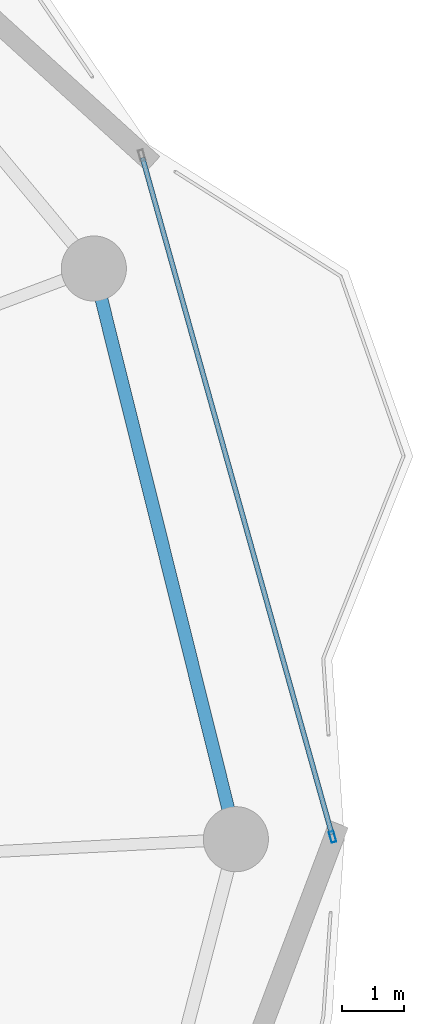
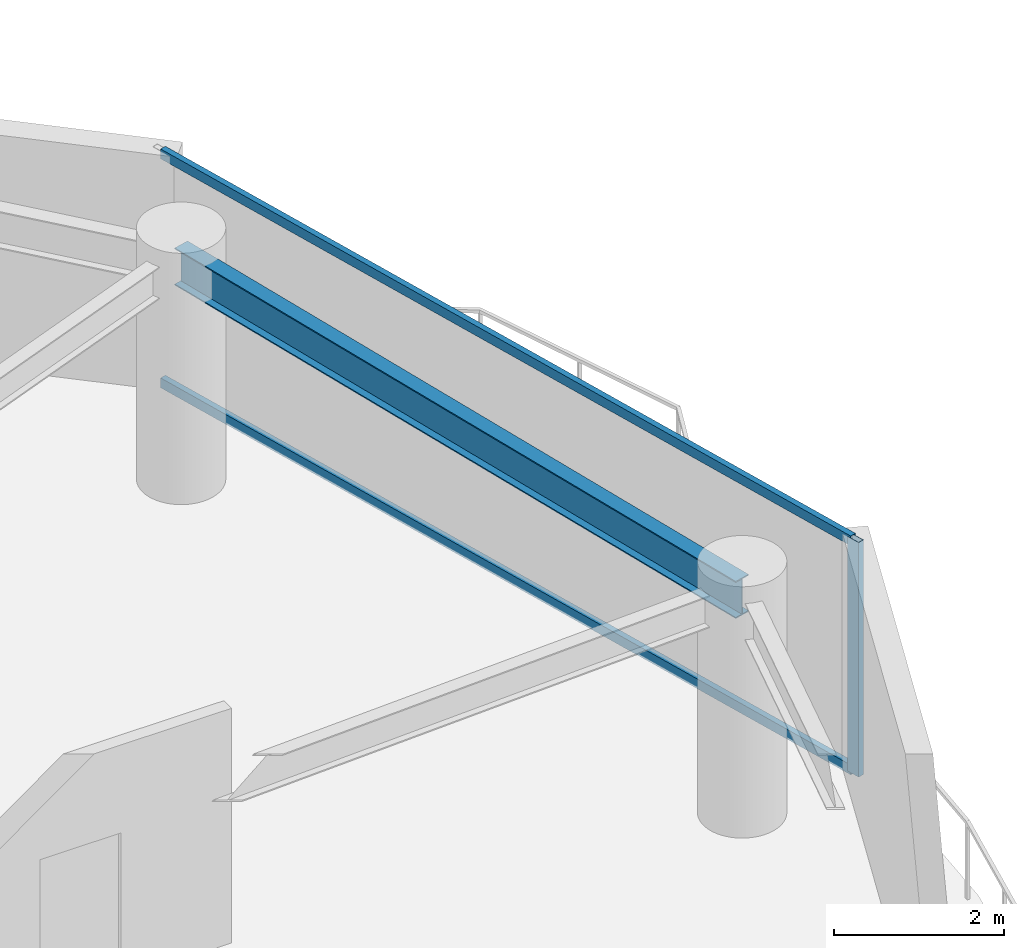
# One storey, part 15 of 29: 3 members, 1 beam, 1 element without a shape of its own.
"""IFC4 building model written with IfcOpenShell, lengths in metres."""

from ifc_helpers import new_model, si_unit, direction, frame, origin, origin_2d, place, context, subcontext, project, spatial, hollow_rectangle, i_section, extrude, material, layer, layer_set, material_profile, profile_set, type_object, element, aggregate, save


model = new_model("IFC4")

# Units and contexts
model_context = context("Model", 3, precision=1e-05, world=origin(), true_north=direction((0.0, 1.0)))
body_context = subcontext(model_context, "Body", "Model", "MODEL_VIEW")
ifc_project = project(units=[si_unit("LENGTHUNIT", "METRE"), si_unit("AREAUNIT", "SQUARE_METRE"), si_unit("VOLUMEUNIT", "CUBIC_METRE"), si_unit("PLANEANGLEUNIT", "RADIAN"), si_unit("MASSUNIT", "GRAM", prefix="KILO")], contexts=[model_context])

# Site, building, storey
site_placement = place(None, origin())
site = spatial("IfcSite", under=ifc_project, at=site_placement, CompositionType="ELEMENT")
building_placement = place(site_placement, origin())
building = spatial("IfcBuilding", under=site, at=building_placement, Name="Kazevale Care Tower and Concert Hall", CompositionType="ELEMENT")
storey_placement = place(building_placement, frame((0.0, 0.0, 195.60009765625)))
storey = spatial("IfcBuildingStorey", under=building, at=storey_placement, Name="L51", CompositionType="ELEMENT", Elevation=195.60009765625)

# Curtain wall, members
ifc_material_1 = material(Name="Aluminium 6063-T6 and Low-E Glass", Category="aluminium")
ifc_layer = layer(ifc_material_1, 0.179931640625)
ifc_layer_set = layer_set([ifc_layer], Name="Aluminium 6063-T6 and Low-E Glass")
curtain_wall_type = type_object("IfcCurtainWallType", Name="Waist & Upper Residential Curtain Wall CW-4", PredefinedType="NOTDEFINED", material=ifc_layer_set)
curtain_wall_placement = place(storey_placement, origin())
curtain_wall = element("IfcCurtainWall", 1, at=curtain_wall_placement, inside=storey, type_object=curtain_wall_type, Name="cw:L51:f18", PredefinedType="NOTDEFINED")
ifc_material_2 = material(Name="Aluminium 6063-T6", Category="aluminium")
ifc_material_profile_1 = material_profile(ifc_material_2, hollow_rectangle(XDim=0.080078125, YDim=0.179931640625, WallThickness=0.0048828125, at=origin_2d()), Name="ALU80x180x5")
ifc_profile_set_1 = profile_set([ifc_material_profile_1], Name="Aluminium 6063-T6")
member_type_1 = type_object("IfcMemberType", Name="CW-4 Mullion ALU80x180x5", PredefinedType="MULLION", material=ifc_profile_set_1)
member_1_placement = place(storey_placement, frame((76.609130859375, 38.03857421875, 0.0), z_axis=(0.0, 0.0, 1.0), x_axis=(0.962972156211, 0.269600864915, 0.0)))
member_1 = element("IfcMember", 2, at=member_1_placement, type_object=member_type_1, Name="CW-4 mullion 2", PredefinedType="MULLION", context=body_context, shape_type="SweptSolid", body=[
    extrude(hollow_rectangle(XDim=0.080078125, YDim=0.179931640625, WallThickness=0.0048828125, at=origin_2d()), origin(), (0.0, 0.0, 1.0), 3.35986328125),
])
ifc_material_profile_2 = material_profile(ifc_material_2, hollow_rectangle(XDim=0.080078125, YDim=0.139892578125, WallThickness=0.00390625, at=origin_2d()), Name="ALU80x140x4")
ifc_profile_set_2 = profile_set([ifc_material_profile_2], Name="Aluminium 6063-T6")
member_type_2 = type_object("IfcMemberType", Name="CW-4 Transom ALU80x140x4", PredefinedType="USERDEFINED", material=ifc_profile_set_2)
member_2_placement = place(storey_placement, frame((73.544677734375, 48.98486328125, 0.039794921875), z_axis=(0.269593149795, -0.96297431616, 0.0), x_axis=(0.96297431616, 0.269593149795, 0.0)))
member_2 = element("IfcMember", 3, at=member_2_placement, type_object=member_type_2, Name="CW-4 transom 1.1", ObjectType="TRANSOM", PredefinedType="USERDEFINED", context=body_context, shape_type="SweptSolid", body=[
    extrude(hollow_rectangle(XDim=0.080078125, YDim=0.139892578125, WallThickness=0.00390625, at=origin_2d()), origin(), (0.0, 0.0, 1.0), 11.3271484375),
])
member_3_placement = place(storey_placement, frame((73.544677734375, 48.98486328125, 3.31982421875), z_axis=(0.269593149795, -0.96297431616, 0.0), x_axis=(0.96297431616, 0.269593149795, 0.0)))
member_3 = element("IfcMember", 4, at=member_3_placement, type_object=member_type_2, Name="CW-4 transom 1.2", ObjectType="TRANSOM", PredefinedType="USERDEFINED", context=body_context, shape_type="SweptSolid", body=[
    extrude(hollow_rectangle(XDim=0.080078125, YDim=0.139892578125, WallThickness=0.00390625, at=origin_2d()), origin(), (0.0, 0.0, 1.0), 11.3271484375),
])
aggregate(curtain_wall, [member_1, member_2, member_3])

# Beam
ifc_material_3 = material(Name="Steel ASTM A572 Gr 50", Category="steel")
ifc_material_profile_3 = material_profile(ifc_material_3, i_section(OverallWidth=0.208984375, OverallDepth=0.532958984375, WebThickness=0.01025390625, FlangeThickness=0.015625, at=origin_2d()), Name="W530x92")
ifc_profile_set_3 = profile_set([ifc_material_profile_3], Name="Steel ASTM A572 Gr 50")
beam_type = type_object("IfcBeamType", Name="Upper Ring Beam W530x92", PredefinedType="BEAM", material=ifc_profile_set_3)
beam_placement = place(storey_placement, frame((75.050048828125, 38.0, 3.093505859375), z_axis=(-0.241547858543, 0.970388907621, 0.0), x_axis=(-0.970388907621, -0.241547858543, 0.0)))
element("IfcBeam", 5, at=beam_placement, inside=storey, type_object=beam_type, Name="beam:L51:ring:01", PredefinedType="BEAM", context=body_context, shape_type="SweptSolid", body=[
    extrude(i_section(OverallWidth=0.208984375, OverallDepth=0.532958984375, WebThickness=0.01025390625, FlangeThickness=0.015625, at=origin_2d()), origin(), (0.0, 0.0, 1.0), 9.480712890625),
])

save(model, "model.ifc")
